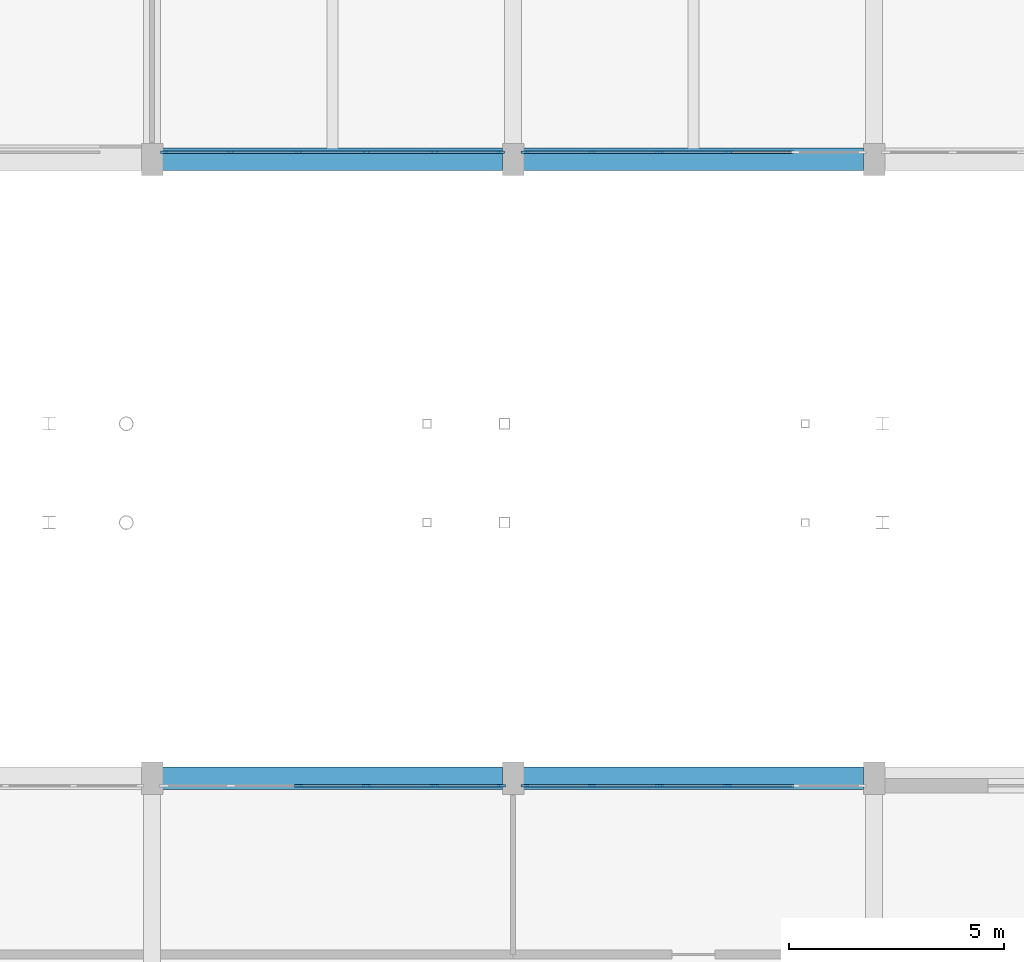
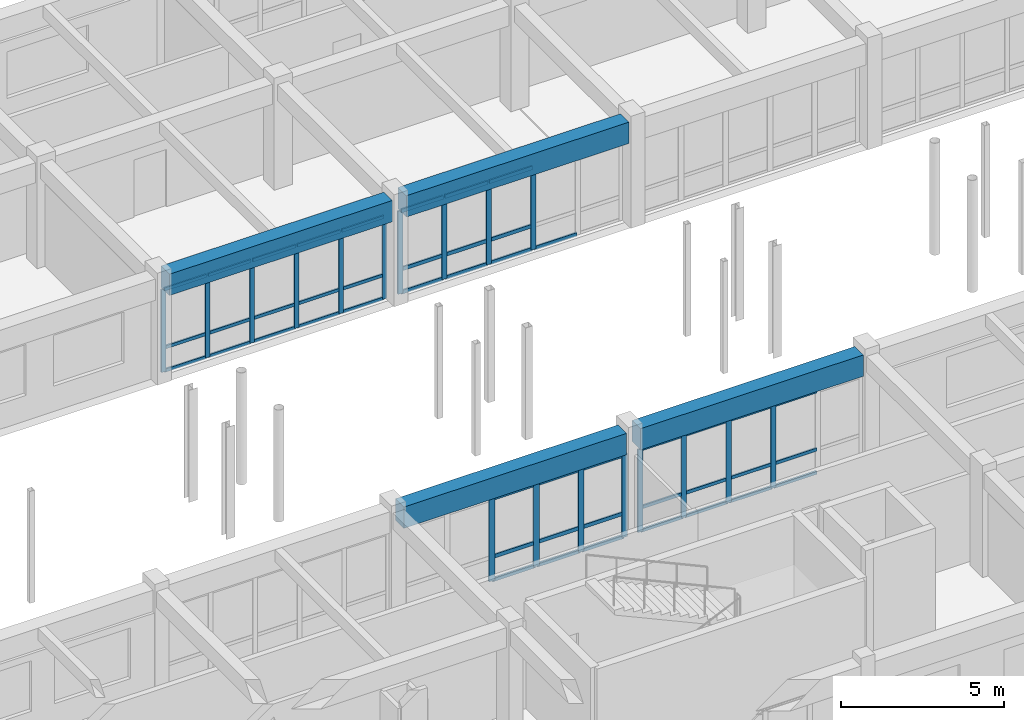
# One storey, part 57 of 147: 64 members, 4 beams, 4 elements without a shape of their own.
"""IFC4 building model written with IfcOpenShell, lengths in metres."""

import ifcopenshell
import ifcopenshell.guid

model = None  # the IFC model being written
_history = None  # IfcOwnerHistory: only IFC2X3 demands one
_inside = {}  # id of a spatial element -> (the spatial element, [elements in it])
_under = {}  # id of a project, library or spatial element -> (it, [spatial elements below it])
_declared = {}  # id of a project -> (the project, [libraries it declares])
_typed = {}  # id of a type object -> (the type object, [elements of that type])
_made_of = {}  # id of a material, layer set ... -> (it, [elements and type objects made of it])


def new_model(schema):
    """Start an empty IFC model of exactly this schema.

    Asked for "IFC4X3", IfcOpenShell would pick the latest addendum, in which some entities
    have other attributes; the version numbers below select the first issue.
    IFC2X3 requires an IfcOwnerHistory on every rooted entity: one is made here for all.
    """
    global model, _history
    if schema == "IFC4X3":
        model = ifcopenshell.file(schema_version=(4, 3, 0, 0))
    else:
        model = ifcopenshell.file(schema=schema)
    _inside.clear()
    _under.clear()
    _declared.clear()
    _typed.clear()
    _made_of.clear()
    _history = None
    if model.schema == "IFC2X3":
        org = make("IfcOrganization", Name="unknown")
        user = make(
            "IfcPersonAndOrganization",
            ThePerson=make("IfcPerson", FamilyName="unknown"),
            TheOrganization=org,
        )
        app = make(
            "IfcApplication",
            ApplicationDeveloper=org,
            Version="unknown",
            ApplicationFullName="unknown",
            ApplicationIdentifier="unknown",
        )
        _history = make(
            "IfcOwnerHistory",
            OwningUser=user,
            OwningApplication=app,
            ChangeAction="ADDED",
            CreationDate=0,
        )
    return model


def make(cls, **values):
    """One entity of the class cls with the attributes given. An attribute that is None is left unset."""
    return model.create_entity(
        cls, **{name: value for name, value in values.items() if value is not None}
    )


def rooted(cls, **values):
    """An entity with a GlobalId (a new one), such as an element, a storey or a relation."""
    return make(cls, GlobalId=ifcopenshell.guid.new(), OwnerHistory=_history, **values)


def si_unit(unit_type, name, prefix=None):
    """IfcSIUnit, for example si_unit("LENGTHUNIT", "METRE", prefix="MILLI")."""
    return make("IfcSIUnit", UnitType=unit_type, Prefix=prefix, Name=name)


def assignment(units):
    """IfcUnitAssignment: the units of a project."""
    return None if units is None else make("IfcUnitAssignment", Units=units)


def point(xyz):
    """IfcCartesianPoint."""
    return None if xyz is None else make("IfcCartesianPoint", Coordinates=xyz)


def direction(xyz):
    """IfcDirection."""
    return None if xyz is None else make("IfcDirection", DirectionRatios=xyz)


def frame(location, z_axis=None, x_axis=None):
    """IfcAxis2Placement3D, a coordinate frame: its origin and axes. An axis left out is left unset."""
    return make(
        "IfcAxis2Placement3D",
        Location=point(location),
        Axis=direction(z_axis),
        RefDirection=direction(x_axis),
    )


def frame_2d(location, x_axis=None):
    """IfcAxis2Placement2D, a coordinate frame in the plane: its origin and x axis."""
    return make(
        "IfcAxis2Placement2D", Location=point(location), RefDirection=direction(x_axis)
    )


def origin():
    """The frame at (0, 0, 0) with its axes left unset."""
    return frame((0.0, 0.0, 0.0))


def origin_2d():
    """The frame at (0, 0) in the plane with its x axis left unset."""
    return frame_2d((0.0, 0.0))


def place(relative_to, where):
    """IfcLocalPlacement: puts the frame where relative to a parent placement (None: the world)."""
    return make(
        "IfcLocalPlacement", PlacementRelTo=relative_to, RelativePlacement=where
    )


def context(
    kind, dimensions, precision=None, world=None, true_north=None, identifier=None
):
    """IfcGeometricRepresentationContext, for example the 3D "Model" context."""
    return make(
        "IfcGeometricRepresentationContext",
        ContextIdentifier=identifier,
        ContextType=kind,
        CoordinateSpaceDimension=dimensions,
        Precision=precision,
        WorldCoordinateSystem=world,
        TrueNorth=true_north,
    )


def subcontext(parent, identifier, kind, view, scale=None):
    """IfcGeometricRepresentationSubContext, for example "Body" below "Model"."""
    return make(
        "IfcGeometricRepresentationSubContext",
        ContextIdentifier=identifier,
        ContextType=kind,
        ParentContext=parent,
        TargetScale=scale,
        TargetView=view,
    )


def project(units=None, contexts=None):
    """IfcProject with its units and contexts."""
    return rooted(
        "IfcProject",
        Name="project",
        RepresentationContexts=contexts,
        UnitsInContext=assignment(units),
    )


def spatial(cls, under=None, at=None, **own):
    """A site, building, storey or space (cls), placed at a placement, below another one or the project."""
    s = rooted(cls, ObjectPlacement=at, **own)
    if under is not None:
        _under.setdefault(under.id(), (under, []))[1].append(s)
    return s


def profile(cls, at=None, kind="AREA", **sizes):
    """A parametric profile (cls). Its sizes go by their IFC names, for example OverallWidth=200.0."""
    return make(cls, ProfileType=kind, Position=at, **sizes)


def rectangle(**sizes):
    """IfcRectangleProfileDef."""
    return profile("IfcRectangleProfileDef", **sizes)


def extrude(swept, where, along, depth):
    """IfcExtrudedAreaSolid: the profile swept, set in the frame where, extruded along a direction by depth."""
    return make(
        "IfcExtrudedAreaSolid",
        SweptArea=swept,
        Position=where,
        ExtrudedDirection=direction(along),
        Depth=depth,
    )


def shape(context_of_items, identifier, shape_type, items):
    """IfcShapeRepresentation: the items that make up one representation, for example the "Body"."""
    return make(
        "IfcShapeRepresentation",
        ContextOfItems=context_of_items,
        RepresentationIdentifier=identifier,
        RepresentationType=shape_type,
        Items=items,
    )


def material(Name=None, Category=None):
    """IfcMaterial."""
    return make("IfcMaterial", Name=Name, Category=Category)


def material_profile(
    of_material, cross_section, Name=None, Category=None, Priority=None
):
    """IfcMaterialProfile: a cross section and its material."""
    return make(
        "IfcMaterialProfile",
        Name=Name,
        Material=of_material,
        Profile=cross_section,
        Priority=Priority,
        Category=Category,
    )


def profile_set(profiles, Name=None, composite=None):
    """IfcMaterialProfileSet."""
    return make(
        "IfcMaterialProfileSet",
        Name=Name,
        MaterialProfiles=profiles,
        CompositeProfile=composite,
    )


def made_of(thing, what):
    """Note that an element or type object is made of a material, layer set ...; save() writes the relation."""
    if what is not None:
        _made_of.setdefault(what.id(), (what, []))[1].append(thing)
    return thing


def type_object(cls, material=None, **own):
    """A type object (cls), such as IfcWallType, which elements share."""
    return made_of(rooted(cls, **own), material)


def element(
    cls,
    number,
    at=None,
    inside=None,
    cuts=None,
    type_object=None,
    material=None,
    context=None,
    identifier="Body",
    shape_type=None,
    held_by="IfcProductDefinitionShape",
    body=None,
    shapes=None,
    **own,
):
    """One element of the class cls, such as IfcWall. Its Tag is "e" and its number.

    at: its placement. inside: the storey or other place that contains it. cuts: it is an
    opening in that element (IfcRelVoidsElement). A single representation is given by context,
    identifier, shape_type and body (its items); several are given by shapes. held_by: the class
    of the entity that holds the representations. save() writes the other relations.
    """
    e = rooted(cls, Tag="e%d" % number, ObjectPlacement=at, **own)
    if body is not None:
        shapes = [shape(context, identifier, shape_type, body)]
    if shapes is not None:
        e.Representation = make(held_by, Representations=shapes)
    if inside is not None:
        _inside.setdefault(inside.id(), (inside, []))[1].append(e)
    if cuts is not None:
        rooted(
            "IfcRelVoidsElement", RelatingBuildingElement=cuts, RelatedOpeningElement=e
        )
    if type_object is not None:
        _typed.setdefault(type_object.id(), (type_object, []))[1].append(e)
    return made_of(e, material)


def aggregate(whole, parts):
    """IfcRelAggregates: a whole, such as a stair, and the parts it consists of."""
    return rooted("IfcRelAggregates", RelatingObject=whole, RelatedObjects=parts)


def save(model, path):
    """Write the relations noted so far, then the file.

    IfcRelAggregates (storeys below a building ...), IfcRelContainedInSpatialStructure (elements
    in a storey), IfcRelDefinesByType, IfcRelAssociatesMaterial and IfcRelDeclares: one each for
    every whole, place, type object, material and project.
    """
    for whole, parts in _under.values():
        aggregate(whole, parts)
    for where, things in _inside.values():
        rooted(
            "IfcRelContainedInSpatialStructure",
            RelatedElements=things,
            RelatingStructure=where,
        )
    for kind, things in _typed.values():
        rooted("IfcRelDefinesByType", RelatedObjects=things, RelatingType=kind)
    for what, things in _made_of.values():
        rooted("IfcRelAssociatesMaterial", RelatedObjects=things, RelatingMaterial=what)
    for by, libraries in _declared.values():
        rooted("IfcRelDeclares", RelatingContext=by, RelatedDefinitions=libraries)
    model.write(path)


model = new_model("IFC4")

# Units and contexts
model_context = context("Model", 3, precision=1e-05, world=origin(), true_north=direction((0.0, 1.0)))
body_context = subcontext(model_context, "Body", "Model", "MODEL_VIEW")
ifc_project = project(units=[si_unit("LENGTHUNIT", "METRE"), si_unit("AREAUNIT", "SQUARE_METRE"), si_unit("VOLUMEUNIT", "CUBIC_METRE"), si_unit("PLANEANGLEUNIT", "RADIAN"), si_unit("MASSUNIT", "GRAM", prefix="KILO")], contexts=[model_context])

# Site, building, storey
site_placement = place(None, origin())
site = spatial("IfcSite", under=ifc_project, at=site_placement, CompositionType="ELEMENT")
building_placement = place(site_placement, origin())
building = spatial("IfcBuilding", under=site, at=building_placement, Name="Malvenik Polytechnic", CompositionType="ELEMENT")
storey_placement = place(building_placement, frame((0.0, 0.0, 5.10009765625)))
storey = spatial("IfcBuildingStorey", under=building, at=storey_placement, Name="L01", CompositionType="ELEMENT", Elevation=5.10009765625)

# Curtain wall, members
ifc_material_1 = material(Name="Anodised aluminium 6060-T6", Category="aluminium")
curtain_wall_type = type_object("IfcCurtainWallType", Name="ARC-CW-CW-02", PredefinedType="NOTDEFINED", material=ifc_material_1)
curtain_wall_1_placement = place(storey_placement, origin())
curtain_wall_1 = element("IfcCurtainWall", 1, at=curtain_wall_1_placement, inside=storey, type_object=curtain_wall_type, Name="Unitised Curtain Wall CW-02 L01 #29", PredefinedType="NOTDEFINED")
ifc_material_2 = material(Name="Anodised aluminium", Category="aluminium")
ifc_material_profile_1 = material_profile(ifc_material_2, rectangle(XDim=0.06005859375, YDim=0.159912109375, at=origin_2d()), Name="ALU MULLION 60x160")
ifc_profile_set_1 = profile_set([ifc_material_profile_1], Name="Anodised aluminium")
member_type_1 = type_object("IfcMemberType", Name="ARC-CWM-160", PredefinedType="MULLION", material=ifc_profile_set_1)
member_1_placement = place(storey_placement, frame((41.721923828125, 79.3701171875, 0.0), z_axis=(0.0, 0.0, 1.0), x_axis=(0.0, -1.0, 0.0)))
member_1 = element("IfcMember", 2, at=member_1_placement, type_object=member_type_1, Name="CW-02 mullion 1", PredefinedType="MULLION", context=body_context, shape_type="SweptSolid", body=[
    extrude(rectangle(XDim=0.06005859375, YDim=0.159912109375, at=origin_2d()), origin(), (0.0, 0.0, 1.0), 3.10986328125),
])
member_2_placement = place(storey_placement, frame((40.171142578125, 79.3701171875, 0.0), z_axis=(0.0, 0.0, 1.0), x_axis=(0.0, -1.0, 0.0)))
member_2 = element("IfcMember", 3, at=member_2_placement, type_object=member_type_1, Name="CW-02 mullion 2", PredefinedType="MULLION", context=body_context, shape_type="SweptSolid", body=[
    extrude(rectangle(XDim=0.06005859375, YDim=0.159912109375, at=origin_2d()), origin(), (0.0, 0.0, 1.0), 3.10986328125),
])
member_3_placement = place(storey_placement, frame((38.59033203125, 79.3701171875, 0.0), z_axis=(0.0, 0.0, 1.0), x_axis=(0.0, -1.0, 0.0)))
member_3 = element("IfcMember", 4, at=member_3_placement, type_object=member_type_1, Name="CW-02 mullion 3", PredefinedType="MULLION", context=body_context, shape_type="SweptSolid", body=[
    extrude(rectangle(XDim=0.06005859375, YDim=0.159912109375, at=origin_2d()), origin(), (0.0, 0.0, 1.0), 3.10986328125),
])
member_4_placement = place(storey_placement, frame((37.009521484375, 79.3701171875, 0.0), z_axis=(0.0, 0.0, 1.0), x_axis=(0.0, -1.0, 0.0)))
member_4 = element("IfcMember", 5, at=member_4_placement, type_object=member_type_1, Name="CW-02 mullion 4", PredefinedType="MULLION", context=body_context, shape_type="SweptSolid", body=[
    extrude(rectangle(XDim=0.06005859375, YDim=0.159912109375, at=origin_2d()), origin(), (0.0, 0.0, 1.0), 3.10986328125),
])
member_5_placement = place(storey_placement, frame((35.4287109375, 79.3701171875, 0.0), z_axis=(0.0, 0.0, 1.0), x_axis=(0.0, -1.0, 0.0)))
member_5 = element("IfcMember", 6, at=member_5_placement, type_object=member_type_1, Name="CW-02 mullion 5", PredefinedType="MULLION", context=body_context, shape_type="SweptSolid", body=[
    extrude(rectangle(XDim=0.06005859375, YDim=0.159912109375, at=origin_2d()), origin(), (0.0, 0.0, 1.0), 3.10986328125),
])
member_6_placement = place(storey_placement, frame((33.8779296875, 79.3701171875, 0.0), z_axis=(0.0, 0.0, 1.0), x_axis=(0.0, -1.0, 0.0)))
member_6 = element("IfcMember", 7, at=member_6_placement, type_object=member_type_1, Name="CW-02 mullion 6", PredefinedType="MULLION", context=body_context, shape_type="SweptSolid", body=[
    extrude(rectangle(XDim=0.06005859375, YDim=0.159912109375, at=origin_2d()), origin(), (0.0, 0.0, 1.0), 3.10986328125),
])

curtain_wall_2_placement = place(storey_placement, origin())
curtain_wall_2 = element("IfcCurtainWall", 8, at=curtain_wall_2_placement, inside=storey, type_object=curtain_wall_type, Name="Unitised Curtain Wall CW-02 L01 #28", PredefinedType="NOTDEFINED")
ifc_material_profile_2 = material_profile(ifc_material_2, rectangle(XDim=0.06005859375, YDim=0.179931640625, at=origin_2d()), Name="ALU MULLION 60x180")
ifc_profile_set_2 = profile_set([ifc_material_profile_2], Name="Anodised aluminium")
member_type_2 = type_object("IfcMemberType", Name="ARC-CWM-180", PredefinedType="MULLION", material=ifc_profile_set_2)
member_7_placement = place(storey_placement, frame((46.990478515625, 79.3701171875, 0.0), z_axis=(0.0, 0.0, 1.0), x_axis=(0.0, -1.0, 0.0)))
member_7 = element("IfcMember", 9, at=member_7_placement, type_object=member_type_2, Name="CW-02 mullion 3", PredefinedType="MULLION", context=body_context, shape_type="SweptSolid", body=[
    extrude(rectangle(XDim=0.06005859375, YDim=0.179931640625, at=origin_2d()), origin(), (0.0, 0.0, 1.0), 3.10986328125),
])
member_8_placement = place(storey_placement, frame((45.40966796875, 79.3701171875, 0.0), z_axis=(0.0, 0.0, 1.0), x_axis=(0.0, -1.0, 0.0)))
member_8 = element("IfcMember", 10, at=member_8_placement, type_object=member_type_2, Name="CW-02 mullion 4", PredefinedType="MULLION", context=body_context, shape_type="SweptSolid", body=[
    extrude(rectangle(XDim=0.06005859375, YDim=0.179931640625, at=origin_2d()), origin(), (0.0, 0.0, 1.0), 3.10986328125),
])
member_9_placement = place(storey_placement, frame((43.828857421875, 79.3701171875, 0.0), z_axis=(0.0, 0.0, 1.0), x_axis=(0.0, -1.0, 0.0)))
member_9 = element("IfcMember", 11, at=member_9_placement, type_object=member_type_2, Name="CW-02 mullion 5", PredefinedType="MULLION", context=body_context, shape_type="SweptSolid", body=[
    extrude(rectangle(XDim=0.06005859375, YDim=0.179931640625, at=origin_2d()), origin(), (0.0, 0.0, 1.0), 3.10986328125),
])
member_10_placement = place(storey_placement, frame((42.278076171875, 79.3701171875, 0.0), z_axis=(0.0, 0.0, 1.0), x_axis=(0.0, -1.0, 0.0)))
member_10 = element("IfcMember", 12, at=member_10_placement, type_object=member_type_2, Name="CW-02 mullion 6", PredefinedType="MULLION", context=body_context, shape_type="SweptSolid", body=[
    extrude(rectangle(XDim=0.06005859375, YDim=0.179931640625, at=origin_2d()), origin(), (0.0, 0.0, 1.0), 3.10986328125),
])

curtain_wall_3_placement = place(storey_placement, origin())
curtain_wall_3 = element("IfcCurtainWall", 13, at=curtain_wall_3_placement, inside=storey, type_object=curtain_wall_type, Name="Unitised Curtain Wall CW-02 L01 #127", PredefinedType="NOTDEFINED")
member_11_placement = place(storey_placement, frame((42.278076171875, 64.6298828125, 0.0), z_axis=(0.0, 0.0, 1.0), x_axis=(0.0, 1.0, 0.0)))
member_11 = element("IfcMember", 14, at=member_11_placement, type_object=member_type_2, Name="CW-02 mullion 1", PredefinedType="MULLION", context=body_context, shape_type="SweptSolid", body=[
    extrude(rectangle(XDim=0.06005859375, YDim=0.179931640625, at=origin_2d()), origin(), (0.0, 0.0, 1.0), 3.10986328125),
])
member_12_placement = place(storey_placement, frame((43.828857421875, 64.6298828125, 0.0), z_axis=(0.0, 0.0, 1.0), x_axis=(0.0, 1.0, 0.0)))
member_12 = element("IfcMember", 15, at=member_12_placement, type_object=member_type_2, Name="CW-02 mullion 2", PredefinedType="MULLION", context=body_context, shape_type="SweptSolid", body=[
    extrude(rectangle(XDim=0.06005859375, YDim=0.179931640625, at=origin_2d()), origin(), (0.0, 0.0, 1.0), 3.10986328125),
])
member_13_placement = place(storey_placement, frame((45.40966796875, 64.6298828125, 0.0), z_axis=(0.0, 0.0, 1.0), x_axis=(0.0, 1.0, 0.0)))
member_13 = element("IfcMember", 16, at=member_13_placement, type_object=member_type_2, Name="CW-02 mullion 3", PredefinedType="MULLION", context=body_context, shape_type="SweptSolid", body=[
    extrude(rectangle(XDim=0.06005859375, YDim=0.179931640625, at=origin_2d()), origin(), (0.0, 0.0, 1.0), 3.10986328125),
])
member_14_placement = place(storey_placement, frame((46.990478515625, 64.6298828125, 0.0), z_axis=(0.0, 0.0, 1.0), x_axis=(0.0, 1.0, 0.0)))
member_14 = element("IfcMember", 17, at=member_14_placement, type_object=member_type_2, Name="CW-02 mullion 4", PredefinedType="MULLION", context=body_context, shape_type="SweptSolid", body=[
    extrude(rectangle(XDim=0.06005859375, YDim=0.179931640625, at=origin_2d()), origin(), (0.0, 0.0, 1.0), 3.10986328125),
])

curtain_wall_4_placement = place(storey_placement, origin())
curtain_wall_4 = element("IfcCurtainWall", 18, at=curtain_wall_4_placement, inside=storey, type_object=curtain_wall_type, Name="Unitised Curtain Wall CW-02 L01 #126", PredefinedType="NOTDEFINED")
ifc_material_profile_3 = material_profile(ifc_material_2, rectangle(XDim=0.06005859375, YDim=0.199951171875, at=origin_2d()), Name="ALU MULLION 60x200")
ifc_profile_set_3 = profile_set([ifc_material_profile_3], Name="Anodised aluminium")
member_type_3 = type_object("IfcMemberType", Name="ARC-CWM-200", PredefinedType="MULLION", material=ifc_profile_set_3)
member_15_placement = place(storey_placement, frame((37.009521484375, 64.6298828125, 0.0), z_axis=(0.0, 0.0, 1.0), x_axis=(0.0, 1.0, 0.0)))
member_15 = element("IfcMember", 19, at=member_15_placement, type_object=member_type_3, Name="CW-02 mullion 3", PredefinedType="MULLION", context=body_context, shape_type="SweptSolid", body=[
    extrude(rectangle(XDim=0.06005859375, YDim=0.199951171875, at=origin_2d()), origin(), (0.0, 0.0, 1.0), 3.10986328125),
])
member_16_placement = place(storey_placement, frame((38.59033203125, 64.6298828125, 0.0), z_axis=(0.0, 0.0, 1.0), x_axis=(0.0, 1.0, 0.0)))
member_16 = element("IfcMember", 20, at=member_16_placement, type_object=member_type_3, Name="CW-02 mullion 4", PredefinedType="MULLION", context=body_context, shape_type="SweptSolid", body=[
    extrude(rectangle(XDim=0.06005859375, YDim=0.199951171875, at=origin_2d()), origin(), (0.0, 0.0, 1.0), 3.10986328125),
])
member_17_placement = place(storey_placement, frame((40.171142578125, 64.6298828125, 0.0), z_axis=(0.0, 0.0, 1.0), x_axis=(0.0, 1.0, 0.0)))
member_17 = element("IfcMember", 21, at=member_17_placement, type_object=member_type_3, Name="CW-02 mullion 5", PredefinedType="MULLION", context=body_context, shape_type="SweptSolid", body=[
    extrude(rectangle(XDim=0.06005859375, YDim=0.199951171875, at=origin_2d()), origin(), (0.0, 0.0, 1.0), 3.10986328125),
])
member_18_placement = place(storey_placement, frame((41.721923828125, 64.6298828125, 0.0), z_axis=(0.0, 0.0, 1.0), x_axis=(0.0, 1.0, 0.0)))
member_18 = element("IfcMember", 22, at=member_18_placement, type_object=member_type_3, Name="CW-02 mullion 6", PredefinedType="MULLION", context=body_context, shape_type="SweptSolid", body=[
    extrude(rectangle(XDim=0.06005859375, YDim=0.199951171875, at=origin_2d()), origin(), (0.0, 0.0, 1.0), 3.10986328125),
])

# Member
ifc_material_profile_4 = material_profile(ifc_material_2, rectangle(XDim=0.06005859375, YDim=0.1201171875, at=origin_2d()), Name="ALU TRANSOM 60x120")
ifc_profile_set_4 = profile_set([ifc_material_profile_4], Name="Anodised aluminium")
member_type_4 = type_object("IfcMemberType", Name="ARC-CWT-120", PredefinedType="USERDEFINED", material=ifc_profile_set_4)
member_19_placement = place(storey_placement, frame((41.69189453125, 79.3701171875, 0.02978515625), z_axis=(-1.0, 0.0, 0.0), x_axis=(0.0, -1.0, 0.0)))
member_19 = element("IfcMember", 23, at=member_19_placement, type_object=member_type_4, Name="CW-02 transom 1.1", ObjectType="TRANSOM", PredefinedType="USERDEFINED", context=body_context, shape_type="SweptSolid", body=[
    extrude(rectangle(XDim=0.06005859375, YDim=0.1201171875, at=origin_2d()), origin(), (0.0, 0.0, 1.0), 1.49072265625),
])

member_20_placement = place(storey_placement, frame((41.69189453125, 79.3701171875, 0.89990234375), z_axis=(-1.0, 0.0, 0.0), x_axis=(0.0, -1.0, 0.0)))
member_20 = element("IfcMember", 24, at=member_20_placement, type_object=member_type_4, Name="CW-02 transom 1.2", ObjectType="TRANSOM", PredefinedType="USERDEFINED", context=body_context, shape_type="SweptSolid", body=[
    extrude(rectangle(XDim=0.06005859375, YDim=0.1201171875, at=origin_2d()), origin(), (0.0, 0.0, 1.0), 1.49072265625),
])

member_21_placement = place(storey_placement, frame((41.69189453125, 79.3701171875, 3.079833984375), z_axis=(-1.0, 0.0, 0.0), x_axis=(0.0, -1.0, 0.0)))
member_21 = element("IfcMember", 25, at=member_21_placement, type_object=member_type_4, Name="CW-02 transom 1.3", ObjectType="TRANSOM", PredefinedType="USERDEFINED", context=body_context, shape_type="SweptSolid", body=[
    extrude(rectangle(XDim=0.06005859375, YDim=0.1201171875, at=origin_2d()), origin(), (0.0, 0.0, 1.0), 1.49072265625),
])

member_22_placement = place(storey_placement, frame((40.14111328125, 79.3701171875, 0.02978515625), z_axis=(-1.0, 0.0, 0.0), x_axis=(0.0, -1.0, 0.0)))
member_22 = element("IfcMember", 26, at=member_22_placement, type_object=member_type_4, Name="CW-02 transom 2.1", ObjectType="TRANSOM", PredefinedType="USERDEFINED", context=body_context, shape_type="SweptSolid", body=[
    extrude(rectangle(XDim=0.06005859375, YDim=0.1201171875, at=origin_2d()), origin(), (0.0, 0.0, 1.0), 1.520751953125),
])

member_23_placement = place(storey_placement, frame((40.14111328125, 79.3701171875, 0.89990234375), z_axis=(-1.0, 0.0, 0.0), x_axis=(0.0, -1.0, 0.0)))
member_23 = element("IfcMember", 27, at=member_23_placement, type_object=member_type_4, Name="CW-02 transom 2.2", ObjectType="TRANSOM", PredefinedType="USERDEFINED", context=body_context, shape_type="SweptSolid", body=[
    extrude(rectangle(XDim=0.06005859375, YDim=0.1201171875, at=origin_2d()), origin(), (0.0, 0.0, 1.0), 1.520751953125),
])

member_24_placement = place(storey_placement, frame((40.14111328125, 79.3701171875, 3.079833984375), z_axis=(-1.0, 0.0, 0.0), x_axis=(0.0, -1.0, 0.0)))
member_24 = element("IfcMember", 28, at=member_24_placement, type_object=member_type_4, Name="CW-02 transom 2.3", ObjectType="TRANSOM", PredefinedType="USERDEFINED", context=body_context, shape_type="SweptSolid", body=[
    extrude(rectangle(XDim=0.06005859375, YDim=0.1201171875, at=origin_2d()), origin(), (0.0, 0.0, 1.0), 1.520751953125),
])

member_25_placement = place(storey_placement, frame((38.560302734375, 79.3701171875, 0.02978515625), z_axis=(-1.0, 0.0, 0.0), x_axis=(0.0, -1.0, 0.0)))
member_25 = element("IfcMember", 29, at=member_25_placement, type_object=member_type_4, Name="CW-02 transom 3.1", ObjectType="TRANSOM", PredefinedType="USERDEFINED", context=body_context, shape_type="SweptSolid", body=[
    extrude(rectangle(XDim=0.06005859375, YDim=0.1201171875, at=origin_2d()), origin(), (0.0, 0.0, 1.0), 1.520751953125),
])

member_26_placement = place(storey_placement, frame((38.560302734375, 79.3701171875, 0.89990234375), z_axis=(-1.0, 0.0, 0.0), x_axis=(0.0, -1.0, 0.0)))
member_26 = element("IfcMember", 30, at=member_26_placement, type_object=member_type_4, Name="CW-02 transom 3.2", ObjectType="TRANSOM", PredefinedType="USERDEFINED", context=body_context, shape_type="SweptSolid", body=[
    extrude(rectangle(XDim=0.06005859375, YDim=0.1201171875, at=origin_2d()), origin(), (0.0, 0.0, 1.0), 1.520751953125),
])

member_27_placement = place(storey_placement, frame((38.560302734375, 79.3701171875, 3.079833984375), z_axis=(-1.0, 0.0, 0.0), x_axis=(0.0, -1.0, 0.0)))
member_27 = element("IfcMember", 31, at=member_27_placement, type_object=member_type_4, Name="CW-02 transom 3.3", ObjectType="TRANSOM", PredefinedType="USERDEFINED", context=body_context, shape_type="SweptSolid", body=[
    extrude(rectangle(XDim=0.06005859375, YDim=0.1201171875, at=origin_2d()), origin(), (0.0, 0.0, 1.0), 1.520751953125),
])

member_28_placement = place(storey_placement, frame((36.9794921875, 79.3701171875, 0.02978515625), z_axis=(-1.0, 0.0, 0.0), x_axis=(0.0, -1.0, 0.0)))
member_28 = element("IfcMember", 32, at=member_28_placement, type_object=member_type_4, Name="CW-02 transom 4.1", ObjectType="TRANSOM", PredefinedType="USERDEFINED", context=body_context, shape_type="SweptSolid", body=[
    extrude(rectangle(XDim=0.06005859375, YDim=0.1201171875, at=origin_2d()), origin(), (0.0, 0.0, 1.0), 1.520751953125),
])

member_29_placement = place(storey_placement, frame((36.9794921875, 79.3701171875, 0.89990234375), z_axis=(-1.0, 0.0, 0.0), x_axis=(0.0, -1.0, 0.0)))
member_29 = element("IfcMember", 33, at=member_29_placement, type_object=member_type_4, Name="CW-02 transom 4.2", ObjectType="TRANSOM", PredefinedType="USERDEFINED", context=body_context, shape_type="SweptSolid", body=[
    extrude(rectangle(XDim=0.06005859375, YDim=0.1201171875, at=origin_2d()), origin(), (0.0, 0.0, 1.0), 1.520751953125),
])

member_30_placement = place(storey_placement, frame((36.9794921875, 79.3701171875, 3.079833984375), z_axis=(-1.0, 0.0, 0.0), x_axis=(0.0, -1.0, 0.0)))
member_30 = element("IfcMember", 34, at=member_30_placement, type_object=member_type_4, Name="CW-02 transom 4.3", ObjectType="TRANSOM", PredefinedType="USERDEFINED", context=body_context, shape_type="SweptSolid", body=[
    extrude(rectangle(XDim=0.06005859375, YDim=0.1201171875, at=origin_2d()), origin(), (0.0, 0.0, 1.0), 1.520751953125),
])

member_31_placement = place(storey_placement, frame((35.398681640625, 79.3701171875, 0.02978515625), z_axis=(-1.0, 0.0, 0.0), x_axis=(0.0, -1.0, 0.0)))
member_31 = element("IfcMember", 35, at=member_31_placement, type_object=member_type_4, Name="CW-02 transom 5.1", ObjectType="TRANSOM", PredefinedType="USERDEFINED", context=body_context, shape_type="SweptSolid", body=[
    extrude(rectangle(XDim=0.06005859375, YDim=0.1201171875, at=origin_2d()), origin(), (0.0, 0.0, 1.0), 1.49072265625),
])

member_32_placement = place(storey_placement, frame((35.398681640625, 79.3701171875, 0.89990234375), z_axis=(-1.0, 0.0, 0.0), x_axis=(0.0, -1.0, 0.0)))
member_32 = element("IfcMember", 36, at=member_32_placement, type_object=member_type_4, Name="CW-02 transom 5.2", ObjectType="TRANSOM", PredefinedType="USERDEFINED", context=body_context, shape_type="SweptSolid", body=[
    extrude(rectangle(XDim=0.06005859375, YDim=0.1201171875, at=origin_2d()), origin(), (0.0, 0.0, 1.0), 1.49072265625),
])

member_33_placement = place(storey_placement, frame((35.398681640625, 79.3701171875, 3.079833984375), z_axis=(-1.0, 0.0, 0.0), x_axis=(0.0, -1.0, 0.0)))
member_33 = element("IfcMember", 37, at=member_33_placement, type_object=member_type_4, Name="CW-02 transom 5.3", ObjectType="TRANSOM", PredefinedType="USERDEFINED", context=body_context, shape_type="SweptSolid", body=[
    extrude(rectangle(XDim=0.06005859375, YDim=0.1201171875, at=origin_2d()), origin(), (0.0, 0.0, 1.0), 1.49072265625),
])

aggregate(curtain_wall_1, [member_1, member_2, member_3, member_4, member_5, member_6, member_19, member_20, member_21, member_22, member_23, member_24, member_25, member_26, member_27, member_28, member_29, member_30, member_31, member_32, member_33])

member_34_placement = place(storey_placement, frame((42.30810546875, 64.6298828125, 0.02978515625), z_axis=(1.0, 0.0, 0.0), x_axis=(0.0, 1.0, 0.0)))
member_34 = element("IfcMember", 38, at=member_34_placement, type_object=member_type_4, Name="CW-02 transom 1.1", ObjectType="TRANSOM", PredefinedType="USERDEFINED", context=body_context, shape_type="SweptSolid", body=[
    extrude(rectangle(XDim=0.06005859375, YDim=0.1201171875, at=origin_2d()), origin(), (0.0, 0.0, 1.0), 1.49072265625),
])

member_35_placement = place(storey_placement, frame((42.30810546875, 64.6298828125, 0.89990234375), z_axis=(1.0, 0.0, 0.0), x_axis=(0.0, 1.0, 0.0)))
member_35 = element("IfcMember", 39, at=member_35_placement, type_object=member_type_4, Name="CW-02 transom 1.2", ObjectType="TRANSOM", PredefinedType="USERDEFINED", context=body_context, shape_type="SweptSolid", body=[
    extrude(rectangle(XDim=0.06005859375, YDim=0.1201171875, at=origin_2d()), origin(), (0.0, 0.0, 1.0), 1.49072265625),
])

member_36_placement = place(storey_placement, frame((42.30810546875, 64.6298828125, 3.079833984375), z_axis=(1.0, 0.0, 0.0), x_axis=(0.0, 1.0, 0.0)))
member_36 = element("IfcMember", 40, at=member_36_placement, type_object=member_type_4, Name="CW-02 transom 1.3", ObjectType="TRANSOM", PredefinedType="USERDEFINED", context=body_context, shape_type="SweptSolid", body=[
    extrude(rectangle(XDim=0.06005859375, YDim=0.1201171875, at=origin_2d()), origin(), (0.0, 0.0, 1.0), 1.49072265625),
])

member_37_placement = place(storey_placement, frame((43.85888671875, 64.6298828125, 0.02978515625), z_axis=(1.0, 0.0, 0.0), x_axis=(0.0, 1.0, 0.0)))
member_37 = element("IfcMember", 41, at=member_37_placement, type_object=member_type_4, Name="CW-02 transom 2.1", ObjectType="TRANSOM", PredefinedType="USERDEFINED", context=body_context, shape_type="SweptSolid", body=[
    extrude(rectangle(XDim=0.06005859375, YDim=0.1201171875, at=origin_2d()), origin(), (0.0, 0.0, 1.0), 1.520751953125),
])

member_38_placement = place(storey_placement, frame((43.85888671875, 64.6298828125, 0.89990234375), z_axis=(1.0, 0.0, 0.0), x_axis=(0.0, 1.0, 0.0)))
member_38 = element("IfcMember", 42, at=member_38_placement, type_object=member_type_4, Name="CW-02 transom 2.2", ObjectType="TRANSOM", PredefinedType="USERDEFINED", context=body_context, shape_type="SweptSolid", body=[
    extrude(rectangle(XDim=0.06005859375, YDim=0.1201171875, at=origin_2d()), origin(), (0.0, 0.0, 1.0), 1.520751953125),
])

member_39_placement = place(storey_placement, frame((43.85888671875, 64.6298828125, 3.079833984375), z_axis=(1.0, 0.0, 0.0), x_axis=(0.0, 1.0, 0.0)))
member_39 = element("IfcMember", 43, at=member_39_placement, type_object=member_type_4, Name="CW-02 transom 2.3", ObjectType="TRANSOM", PredefinedType="USERDEFINED", context=body_context, shape_type="SweptSolid", body=[
    extrude(rectangle(XDim=0.06005859375, YDim=0.1201171875, at=origin_2d()), origin(), (0.0, 0.0, 1.0), 1.520751953125),
])

member_40_placement = place(storey_placement, frame((45.439697265625, 64.6298828125, 0.02978515625), z_axis=(1.0, 0.0, 0.0), x_axis=(0.0, 1.0, 0.0)))
member_40 = element("IfcMember", 44, at=member_40_placement, type_object=member_type_4, Name="CW-02 transom 3.1", ObjectType="TRANSOM", PredefinedType="USERDEFINED", context=body_context, shape_type="SweptSolid", body=[
    extrude(rectangle(XDim=0.06005859375, YDim=0.1201171875, at=origin_2d()), origin(), (0.0, 0.0, 1.0), 1.520751953125),
])

member_41_placement = place(storey_placement, frame((45.439697265625, 64.6298828125, 0.89990234375), z_axis=(1.0, 0.0, 0.0), x_axis=(0.0, 1.0, 0.0)))
member_41 = element("IfcMember", 45, at=member_41_placement, type_object=member_type_4, Name="CW-02 transom 3.2", ObjectType="TRANSOM", PredefinedType="USERDEFINED", context=body_context, shape_type="SweptSolid", body=[
    extrude(rectangle(XDim=0.06005859375, YDim=0.1201171875, at=origin_2d()), origin(), (0.0, 0.0, 1.0), 1.520751953125),
])

member_42_placement = place(storey_placement, frame((45.439697265625, 64.6298828125, 3.079833984375), z_axis=(1.0, 0.0, 0.0), x_axis=(0.0, 1.0, 0.0)))
member_42 = element("IfcMember", 46, at=member_42_placement, type_object=member_type_4, Name="CW-02 transom 3.3", ObjectType="TRANSOM", PredefinedType="USERDEFINED", context=body_context, shape_type="SweptSolid", body=[
    extrude(rectangle(XDim=0.06005859375, YDim=0.1201171875, at=origin_2d()), origin(), (0.0, 0.0, 1.0), 1.520751953125),
])

member_43_placement = place(storey_placement, frame((47.0205078125, 64.6298828125, 0.02978515625), z_axis=(1.0, 0.0, 0.0), x_axis=(0.0, 1.0, 0.0)))
member_43 = element("IfcMember", 47, at=member_43_placement, type_object=member_type_4, Name="CW-02 transom 4.1", ObjectType="TRANSOM", PredefinedType="USERDEFINED", context=body_context, shape_type="SweptSolid", body=[
    extrude(rectangle(XDim=0.06005859375, YDim=0.1201171875, at=origin_2d()), origin(), (0.0, 0.0, 1.0), 1.520751953125),
])

member_44_placement = place(storey_placement, frame((47.0205078125, 64.6298828125, 0.89990234375), z_axis=(1.0, 0.0, 0.0), x_axis=(0.0, 1.0, 0.0)))
member_44 = element("IfcMember", 48, at=member_44_placement, type_object=member_type_4, Name="CW-02 transom 4.2", ObjectType="TRANSOM", PredefinedType="USERDEFINED", context=body_context, shape_type="SweptSolid", body=[
    extrude(rectangle(XDim=0.06005859375, YDim=0.1201171875, at=origin_2d()), origin(), (0.0, 0.0, 1.0), 1.520751953125),
])

member_45_placement = place(storey_placement, frame((47.0205078125, 64.6298828125, 3.079833984375), z_axis=(1.0, 0.0, 0.0), x_axis=(0.0, 1.0, 0.0)))
member_45 = element("IfcMember", 49, at=member_45_placement, type_object=member_type_4, Name="CW-02 transom 4.3", ObjectType="TRANSOM", PredefinedType="USERDEFINED", context=body_context, shape_type="SweptSolid", body=[
    extrude(rectangle(XDim=0.06005859375, YDim=0.1201171875, at=origin_2d()), origin(), (0.0, 0.0, 1.0), 1.520751953125),
])

aggregate(curtain_wall_3, [member_11, member_12, member_13, member_14, member_34, member_35, member_36, member_37, member_38, member_39, member_40, member_41, member_42, member_43, member_44, member_45])

ifc_material_profile_5 = material_profile(ifc_material_2, rectangle(XDim=0.06005859375, YDim=0.139892578125, at=origin_2d()), Name="ALU TRANSOM 60x140")
ifc_profile_set_5 = profile_set([ifc_material_profile_5], Name="Anodised aluminium")
member_type_5 = type_object("IfcMemberType", Name="ARC-CWT-140", PredefinedType="USERDEFINED", material=ifc_profile_set_5)
member_46_placement = place(storey_placement, frame((48.541259765625, 79.3701171875, 0.02978515625), z_axis=(-1.0, 0.0, 0.0), x_axis=(0.0, -1.0, 0.0)))
member_46 = element("IfcMember", 50, at=member_46_placement, type_object=member_type_5, Name="CW-02 transom 2.1", ObjectType="TRANSOM", PredefinedType="USERDEFINED", context=body_context, shape_type="SweptSolid", body=[
    extrude(rectangle(XDim=0.06005859375, YDim=0.139892578125, at=origin_2d()), origin(), (0.0, 0.0, 1.0), 1.520751953125),
])

member_47_placement = place(storey_placement, frame((46.96044921875, 79.3701171875, 0.02978515625), z_axis=(-1.0, 0.0, 0.0), x_axis=(0.0, -1.0, 0.0)))
member_47 = element("IfcMember", 51, at=member_47_placement, type_object=member_type_5, Name="CW-02 transom 3.1", ObjectType="TRANSOM", PredefinedType="USERDEFINED", context=body_context, shape_type="SweptSolid", body=[
    extrude(rectangle(XDim=0.06005859375, YDim=0.139892578125, at=origin_2d()), origin(), (0.0, 0.0, 1.0), 1.520751953125),
])

member_48_placement = place(storey_placement, frame((46.96044921875, 79.3701171875, 0.89990234375), z_axis=(-1.0, 0.0, 0.0), x_axis=(0.0, -1.0, 0.0)))
member_48 = element("IfcMember", 52, at=member_48_placement, type_object=member_type_5, Name="CW-02 transom 3.2", ObjectType="TRANSOM", PredefinedType="USERDEFINED", context=body_context, shape_type="SweptSolid", body=[
    extrude(rectangle(XDim=0.06005859375, YDim=0.139892578125, at=origin_2d()), origin(), (0.0, 0.0, 1.0), 1.520751953125),
])

member_49_placement = place(storey_placement, frame((46.96044921875, 79.3701171875, 3.079833984375), z_axis=(-1.0, 0.0, 0.0), x_axis=(0.0, -1.0, 0.0)))
member_49 = element("IfcMember", 53, at=member_49_placement, type_object=member_type_5, Name="CW-02 transom 3.3", ObjectType="TRANSOM", PredefinedType="USERDEFINED", context=body_context, shape_type="SweptSolid", body=[
    extrude(rectangle(XDim=0.06005859375, YDim=0.139892578125, at=origin_2d()), origin(), (0.0, 0.0, 1.0), 1.520751953125),
])

member_50_placement = place(storey_placement, frame((45.379638671875, 79.3701171875, 0.02978515625), z_axis=(-1.0, 0.0, 0.0), x_axis=(0.0, -1.0, 0.0)))
member_50 = element("IfcMember", 54, at=member_50_placement, type_object=member_type_5, Name="CW-02 transom 4.1", ObjectType="TRANSOM", PredefinedType="USERDEFINED", context=body_context, shape_type="SweptSolid", body=[
    extrude(rectangle(XDim=0.06005859375, YDim=0.139892578125, at=origin_2d()), origin(), (0.0, 0.0, 1.0), 1.520751953125),
])

member_51_placement = place(storey_placement, frame((45.379638671875, 79.3701171875, 0.89990234375), z_axis=(-1.0, 0.0, 0.0), x_axis=(0.0, -1.0, 0.0)))
member_51 = element("IfcMember", 55, at=member_51_placement, type_object=member_type_5, Name="CW-02 transom 4.2", ObjectType="TRANSOM", PredefinedType="USERDEFINED", context=body_context, shape_type="SweptSolid", body=[
    extrude(rectangle(XDim=0.06005859375, YDim=0.139892578125, at=origin_2d()), origin(), (0.0, 0.0, 1.0), 1.520751953125),
])

member_52_placement = place(storey_placement, frame((45.379638671875, 79.3701171875, 3.079833984375), z_axis=(-1.0, 0.0, 0.0), x_axis=(0.0, -1.0, 0.0)))
member_52 = element("IfcMember", 56, at=member_52_placement, type_object=member_type_5, Name="CW-02 transom 4.3", ObjectType="TRANSOM", PredefinedType="USERDEFINED", context=body_context, shape_type="SweptSolid", body=[
    extrude(rectangle(XDim=0.06005859375, YDim=0.139892578125, at=origin_2d()), origin(), (0.0, 0.0, 1.0), 1.520751953125),
])

member_53_placement = place(storey_placement, frame((43.798828125, 79.3701171875, 0.02978515625), z_axis=(-1.0, 0.0, 0.0), x_axis=(0.0, -1.0, 0.0)))
member_53 = element("IfcMember", 57, at=member_53_placement, type_object=member_type_5, Name="CW-02 transom 5.1", ObjectType="TRANSOM", PredefinedType="USERDEFINED", context=body_context, shape_type="SweptSolid", body=[
    extrude(rectangle(XDim=0.06005859375, YDim=0.139892578125, at=origin_2d()), origin(), (0.0, 0.0, 1.0), 1.49072265625),
])

member_54_placement = place(storey_placement, frame((43.798828125, 79.3701171875, 0.89990234375), z_axis=(-1.0, 0.0, 0.0), x_axis=(0.0, -1.0, 0.0)))
member_54 = element("IfcMember", 58, at=member_54_placement, type_object=member_type_5, Name="CW-02 transom 5.2", ObjectType="TRANSOM", PredefinedType="USERDEFINED", context=body_context, shape_type="SweptSolid", body=[
    extrude(rectangle(XDim=0.06005859375, YDim=0.139892578125, at=origin_2d()), origin(), (0.0, 0.0, 1.0), 1.49072265625),
])

member_55_placement = place(storey_placement, frame((43.798828125, 79.3701171875, 3.079833984375), z_axis=(-1.0, 0.0, 0.0), x_axis=(0.0, -1.0, 0.0)))
member_55 = element("IfcMember", 59, at=member_55_placement, type_object=member_type_5, Name="CW-02 transom 5.3", ObjectType="TRANSOM", PredefinedType="USERDEFINED", context=body_context, shape_type="SweptSolid", body=[
    extrude(rectangle(XDim=0.06005859375, YDim=0.139892578125, at=origin_2d()), origin(), (0.0, 0.0, 1.0), 1.49072265625),
])

aggregate(curtain_wall_2, [member_7, member_8, member_9, member_10, member_46, member_47, member_48, member_49, member_50, member_51, member_52, member_53, member_54, member_55])

member_56_placement = place(storey_placement, frame((37.03955078125, 64.6298828125, 0.02978515625), z_axis=(1.0, 0.0, 0.0), x_axis=(0.0, 1.0, 0.0)))
member_56 = element("IfcMember", 60, at=member_56_placement, type_object=member_type_5, Name="CW-02 transom 3.1", ObjectType="TRANSOM", PredefinedType="USERDEFINED", context=body_context, shape_type="SweptSolid", body=[
    extrude(rectangle(XDim=0.06005859375, YDim=0.139892578125, at=origin_2d()), origin(), (0.0, 0.0, 1.0), 1.520751953125),
])

member_57_placement = place(storey_placement, frame((37.03955078125, 64.6298828125, 0.89990234375), z_axis=(1.0, 0.0, 0.0), x_axis=(0.0, 1.0, 0.0)))
member_57 = element("IfcMember", 61, at=member_57_placement, type_object=member_type_5, Name="CW-02 transom 3.2", ObjectType="TRANSOM", PredefinedType="USERDEFINED", context=body_context, shape_type="SweptSolid", body=[
    extrude(rectangle(XDim=0.06005859375, YDim=0.139892578125, at=origin_2d()), origin(), (0.0, 0.0, 1.0), 1.520751953125),
])

member_58_placement = place(storey_placement, frame((37.03955078125, 64.6298828125, 3.079833984375), z_axis=(1.0, 0.0, 0.0), x_axis=(0.0, 1.0, 0.0)))
member_58 = element("IfcMember", 62, at=member_58_placement, type_object=member_type_5, Name="CW-02 transom 3.3", ObjectType="TRANSOM", PredefinedType="USERDEFINED", context=body_context, shape_type="SweptSolid", body=[
    extrude(rectangle(XDim=0.06005859375, YDim=0.139892578125, at=origin_2d()), origin(), (0.0, 0.0, 1.0), 1.520751953125),
])

member_59_placement = place(storey_placement, frame((38.620361328125, 64.6298828125, 0.02978515625), z_axis=(1.0, 0.0, 0.0), x_axis=(0.0, 1.0, 0.0)))
member_59 = element("IfcMember", 63, at=member_59_placement, type_object=member_type_5, Name="CW-02 transom 4.1", ObjectType="TRANSOM", PredefinedType="USERDEFINED", context=body_context, shape_type="SweptSolid", body=[
    extrude(rectangle(XDim=0.06005859375, YDim=0.139892578125, at=origin_2d()), origin(), (0.0, 0.0, 1.0), 1.520751953125),
])

member_60_placement = place(storey_placement, frame((38.620361328125, 64.6298828125, 0.89990234375), z_axis=(1.0, 0.0, 0.0), x_axis=(0.0, 1.0, 0.0)))
member_60 = element("IfcMember", 64, at=member_60_placement, type_object=member_type_5, Name="CW-02 transom 4.2", ObjectType="TRANSOM", PredefinedType="USERDEFINED", context=body_context, shape_type="SweptSolid", body=[
    extrude(rectangle(XDim=0.06005859375, YDim=0.139892578125, at=origin_2d()), origin(), (0.0, 0.0, 1.0), 1.520751953125),
])

member_61_placement = place(storey_placement, frame((38.620361328125, 64.6298828125, 3.079833984375), z_axis=(1.0, 0.0, 0.0), x_axis=(0.0, 1.0, 0.0)))
member_61 = element("IfcMember", 65, at=member_61_placement, type_object=member_type_5, Name="CW-02 transom 4.3", ObjectType="TRANSOM", PredefinedType="USERDEFINED", context=body_context, shape_type="SweptSolid", body=[
    extrude(rectangle(XDim=0.06005859375, YDim=0.139892578125, at=origin_2d()), origin(), (0.0, 0.0, 1.0), 1.520751953125),
])

member_62_placement = place(storey_placement, frame((40.201171875, 64.6298828125, 0.02978515625), z_axis=(1.0, 0.0, 0.0), x_axis=(0.0, 1.0, 0.0)))
member_62 = element("IfcMember", 66, at=member_62_placement, type_object=member_type_5, Name="CW-02 transom 5.1", ObjectType="TRANSOM", PredefinedType="USERDEFINED", context=body_context, shape_type="SweptSolid", body=[
    extrude(rectangle(XDim=0.06005859375, YDim=0.139892578125, at=origin_2d()), origin(), (0.0, 0.0, 1.0), 1.49072265625),
])

member_63_placement = place(storey_placement, frame((40.201171875, 64.6298828125, 0.89990234375), z_axis=(1.0, 0.0, 0.0), x_axis=(0.0, 1.0, 0.0)))
member_63 = element("IfcMember", 67, at=member_63_placement, type_object=member_type_5, Name="CW-02 transom 5.2", ObjectType="TRANSOM", PredefinedType="USERDEFINED", context=body_context, shape_type="SweptSolid", body=[
    extrude(rectangle(XDim=0.06005859375, YDim=0.139892578125, at=origin_2d()), origin(), (0.0, 0.0, 1.0), 1.49072265625),
])

member_64_placement = place(storey_placement, frame((40.201171875, 64.6298828125, 3.079833984375), z_axis=(1.0, 0.0, 0.0), x_axis=(0.0, 1.0, 0.0)))
member_64 = element("IfcMember", 68, at=member_64_placement, type_object=member_type_5, Name="CW-02 transom 5.3", ObjectType="TRANSOM", PredefinedType="USERDEFINED", context=body_context, shape_type="SweptSolid", body=[
    extrude(rectangle(XDim=0.06005859375, YDim=0.139892578125, at=origin_2d()), origin(), (0.0, 0.0, 1.0), 1.49072265625),
])

aggregate(curtain_wall_4, [member_15, member_16, member_17, member_18, member_56, member_57, member_58, member_59, member_60, member_61, member_62, member_63, member_64])

# Beams
ifc_material_3 = material(Name="Precast concrete C40/50", Category="concrete")
ifc_material_profile_6 = material_profile(ifc_material_3, rectangle(XDim=0.52001953125, YDim=0.800048828125, at=origin_2d()), Name="PC SPN 520x800")
ifc_profile_set_6 = profile_set([ifc_material_profile_6], Name="Precast concrete C40/50")
beam_type = type_object("IfcBeamType", Name="STR-BM-SP-01", PredefinedType="SPANDREL", material=ifc_profile_set_6)
for number, where, z_axis, x_axis, name in (
    (69, (33.847900390625, 64.800048828125, 3.52001953125), (1.0, 0.0, 0.0), (0.0, 1.0, 0.0), "Primary Beam SP-01 L01 #1029"),
    (70, (42.248046875, 64.800048828125, 3.52001953125), (1.0, 0.0, 0.0), (0.0, 1.0, 0.0), "Primary Beam SP-01 L01 #1030"),
    (71, (33.847900390625, 79.199951171875, 3.52001953125), (1.0, 0.0, 0.0), (0.0, 1.0, 0.0), "Primary Beam SP-01 L01 #1045"),
    (72, (42.248046875, 79.199951171875, 3.52001953125), (1.0, 0.0, 0.0), (0.0, 1.0, 0.0), "Primary Beam SP-01 L01 #1046"),
):
    element("IfcBeam", number, at=place(storey_placement, frame(where, z_axis=z_axis, x_axis=x_axis)), inside=storey, type_object=beam_type, Name=name, PredefinedType="SPANDREL", context=body_context, shape_type="SweptSolid", body=[
        extrude(rectangle(XDim=0.52001953125, YDim=0.800048828125, at=origin_2d()), origin(), (0.0, 0.0, 1.0), 7.904052734375),
    ])

save(model, "model.ifc")
